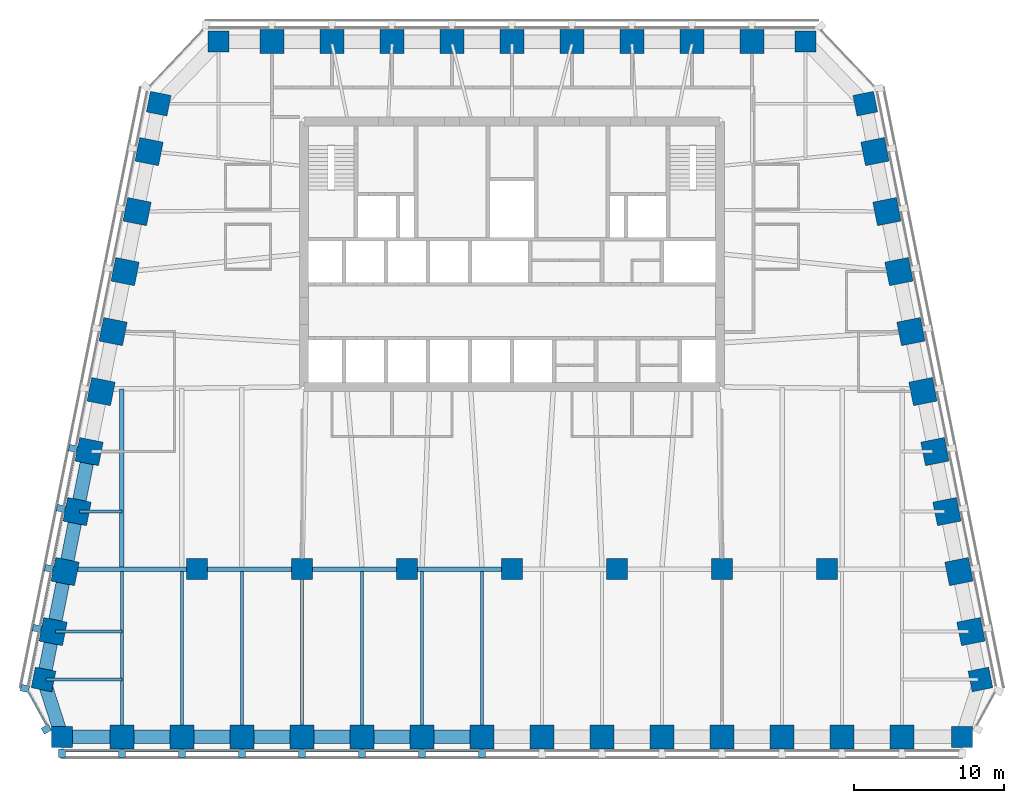
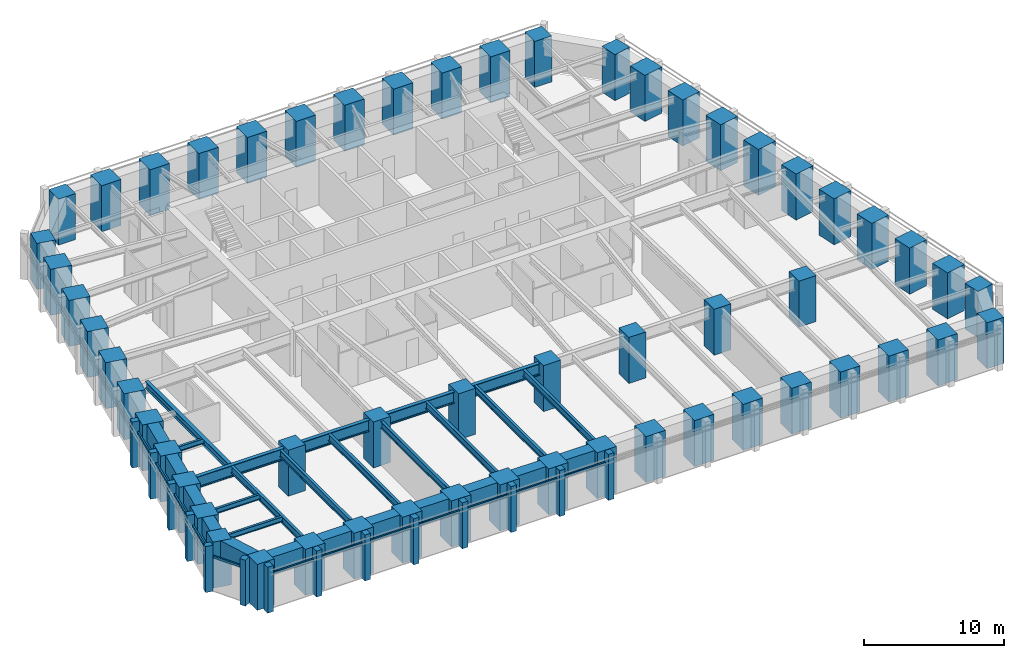
# One storey, part 1 of 10: 56 columns, 27 beams, 26 members, 3 elements without a shape of their own.
"""IFC4 building model written with IfcOpenShell, lengths in metres."""

from ifc_helpers import new_model, si_unit, direction, frame, origin, origin_2d, place, context, subcontext, project, spatial, rectangle, i_section, extrude, material, material_profile, profile_set, type_object, element, aggregate, save


model = new_model("IFC4")

# Units and contexts
model_context = context("Model", 3, precision=1e-05, world=origin(), true_north=direction((0.0, 1.0)))
body_context = subcontext(model_context, "Body", "Model", "MODEL_VIEW")
ifc_project = project(units=[si_unit("LENGTHUNIT", "METRE"), si_unit("AREAUNIT", "SQUARE_METRE"), si_unit("VOLUMEUNIT", "CUBIC_METRE"), si_unit("PLANEANGLEUNIT", "RADIAN"), si_unit("MASSUNIT", "GRAM", prefix="KILO")], contexts=[model_context])

# Site, building, storey
site_placement = place(None, origin())
site = spatial("IfcSite", under=ifc_project, at=site_placement, CompositionType="ELEMENT")
building_placement = place(site_placement, origin())
building = spatial("IfcBuilding", under=site, at=building_placement, Name="Isbrekke Arena Tower", CompositionType="ELEMENT")
storey_placement = place(building_placement, frame((0.0, 0.0, 214.0)))
storey = spatial("IfcBuildingStorey", under=building, at=storey_placement, Name="L49", CompositionType="ELEMENT", Elevation=214.0)

# Columns
ifc_material_1 = material(Name="Concrete B65 (C65/80)", Category="concrete")
ifc_material_profile_1 = material_profile(ifc_material_1, rectangle(XDim=1.39990234375, YDim=1.39990234375, at=origin_2d()), Name="RC 1400x1400")
ifc_profile_set_1 = profile_set([ifc_material_profile_1], Name="Concrete B65 (C65/80)")
column_type_1 = type_object("IfcColumnType", Name="C13 RC 1400 x 1400", PredefinedType="COLUMN", material=ifc_profile_set_1)
for number, where, z_axis, x_axis, name in (
    (1, (-21.0, -6.0, 0.0), (0.0, 0.0, 1.0), (1.0, 0.0, 0.0), "C13 I01"),
    (2, (-14.0, -6.0, 0.0), (0.0, 0.0, 1.0), (1.0, 0.0, 0.0), "C13 I02"),
    (3, (-7.0, -6.0, 0.0), (0.0, 0.0, 1.0), (1.0, 0.0, 0.0), "C13 I03"),
    (4, (0.0, -6.0, 0.0), (0.0, 0.0, 1.0), (1.0, 0.0, 0.0), "C13 I04"),
    (5, (7.0, -6.0, 0.0), (0.0, 0.0, 1.0), (1.0, 0.0, 0.0), "C13 I05"),
    (6, (14.0, -6.0, 0.0), (0.0, 0.0, 1.0), (1.0, 0.0, 0.0), "C13 I06"),
    (7, (21.0, -6.0, 0.0), (0.0, 0.0, 1.0), (1.0, 0.0, 0.0), "C13 I07"),
):
    element("IfcColumn", number, at=place(storey_placement, frame(where, z_axis=z_axis, x_axis=x_axis)), inside=storey, type_object=column_type_1, Name=name, PredefinedType="COLUMN", context=body_context, shape_type="SweptSolid", body=[
        extrude(rectangle(XDim=1.39990234375, YDim=1.39990234375, at=origin_2d()), origin(), (0.0, 0.0, 1.0), 4.0),
    ])
ifc_material_2 = material(Name="Concrete B65 (C65/80)", Category="concrete")
ifc_material_profile_2 = material_profile(ifc_material_2, rectangle(XDim=1.60009765625, YDim=1.60009765625, at=origin_2d()), Name="RC 1600x1600")
ifc_profile_set_2 = profile_set([ifc_material_profile_2], Name="Concrete B65 (C65/80)")
column_type_2 = type_object("IfcColumnType", Name="C4 RC 1600 x 1600", PredefinedType="COLUMN", material=ifc_profile_set_2)
for number, where, z_axis, x_axis, name in (
    (8, (-26.0, -17.175048828125, 0.0), (0.0, 0.0, 1.0), (1.0, 0.0, 0.0), "C4 S02"),
    (9, (-22.0, -17.175048828125, 0.0), (0.0, 0.0, 1.0), (1.0, 0.0, 0.0), "C4 S03"),
    (10, (-18.0, -17.175048828125, 0.0), (0.0, 0.0, 1.0), (1.0, 0.0, 0.0), "C4 S04"),
    (11, (-14.0, -17.175048828125, 0.0), (0.0, 0.0, 1.0), (1.0, 0.0, 0.0), "C4 S05"),
    (12, (-10.0, -17.175048828125, 0.0), (0.0, 0.0, 1.0), (1.0, 0.0, 0.0), "C4 S06"),
    (13, (-6.0, -17.175048828125, 0.0), (0.0, 0.0, 1.0), (1.0, 0.0, 0.0), "C4 S07"),
    (14, (-2.0, -17.175048828125, 0.0), (0.0, 0.0, 1.0), (1.0, 0.0, 0.0), "C4 S08"),
    (15, (2.0, -17.175048828125, 0.0), (0.0, 0.0, 1.0), (1.0, 0.0, 0.0), "C4 S09"),
    (16, (6.0, -17.175048828125, 0.0), (0.0, 0.0, 1.0), (1.0, 0.0, 0.0), "C4 S10"),
    (17, (10.0, -17.175048828125, 0.0), (0.0, 0.0, 1.0), (1.0, 0.0, 0.0), "C4 S11"),
    (18, (14.0, -17.175048828125, 0.0), (0.0, 0.0, 1.0), (1.0, 0.0, 0.0), "C4 S12"),
    (19, (18.0, -17.175048828125, 0.0), (0.0, 0.0, 1.0), (1.0, 0.0, 0.0), "C4 S13"),
    (20, (22.0, -17.175048828125, 0.0), (0.0, 0.0, 1.0), (1.0, 0.0, 0.0), "C4 S14"),
    (21, (26.0, -17.175048828125, 0.0), (0.0, 0.0, 1.0), (1.0, 0.0, 0.0), "C4 S15"),
    (22, (30.591064453125, -10.161865234375, 0.0), (0.0, 0.0, 1.0), (-0.196116135138, 0.980580675691, 0.0), "C4 E02"),
    (23, (29.791015625, -6.161865234375, 0.0), (0.0, 0.0, 1.0), (-0.196116135138, 0.980580675691, 0.0), "C4 E03"),
    (24, (28.990966796875, -2.161865234375, 0.0), (0.0, 0.0, 1.0), (-0.196116135138, 0.980580675691, 0.0), "C4 E04"),
    (25, (28.19091796875, 1.838134765625, 0.0), (0.0, 0.0, 1.0), (-0.196116135138, 0.980580675691, 0.0), "C4 E05"),
    (26, (27.39111328125, 5.838134765625, 0.0), (0.0, 0.0, 1.0), (-0.196116135138, 0.980580675691, 0.0), "C4 E06"),
    (27, (26.591064453125, 9.838134765625, 0.0), (0.0, 0.0, 1.0), (-0.196116135138, 0.980580675691, 0.0), "C4 E07"),
    (28, (25.791015625, 13.838134765625, 0.0), (0.0, 0.0, 1.0), (-0.196116135138, 0.980580675691, 0.0), "C4 E08"),
    (29, (24.990966796875, 17.838134765625, 0.0), (0.0, 0.0, 1.0), (-0.196116135138, 0.980580675691, 0.0), "C4 E09"),
    (30, (24.19091796875, 21.838134765625, 0.0), (0.0, 0.0, 1.0), (-0.196116135138, 0.980580675691, 0.0), "C4 E10"),
    (31, (16.0, 29.175048828125, 0.0), (0.0, 0.0, 1.0), (-1.0, 0.0, 0.0), "C4 N02"),
    (32, (12.0, 29.175048828125, 0.0), (0.0, 0.0, 1.0), (-1.0, 0.0, 0.0), "C4 N03"),
    (33, (8.0, 29.175048828125, 0.0), (0.0, 0.0, 1.0), (-1.0, 0.0, 0.0), "C4 N04"),
    (34, (4.0, 29.175048828125, 0.0), (0.0, 0.0, 1.0), (-1.0, 0.0, 0.0), "C4 N05"),
    (35, (0.0, 29.175048828125, 0.0), (0.0, 0.0, 1.0), (-1.0, 0.0, 0.0), "C4 N06"),
    (36, (-4.0, 29.175048828125, 0.0), (0.0, 0.0, 1.0), (-1.0, 0.0, 0.0), "C4 N07"),
    (37, (-8.0, 29.175048828125, 0.0), (0.0, 0.0, 1.0), (-1.0, 0.0, 0.0), "C4 N08"),
    (38, (-12.0, 29.175048828125, 0.0), (0.0, 0.0, 1.0), (-1.0, 0.0, 0.0), "C4 N09"),
    (39, (-16.0, 29.175048828125, 0.0), (0.0, 0.0, 1.0), (-1.0, 0.0, 0.0), "C4 N10"),
    (40, (-24.19091796875, 21.838134765625, 0.0), (0.0, 0.0, 1.0), (-0.196116135138, -0.980580675691, 0.0), "C4 W02"),
    (41, (-24.990966796875, 17.838134765625, 0.0), (0.0, 0.0, 1.0), (-0.196116135138, -0.980580675691, 0.0), "C4 W03"),
    (42, (-25.791015625, 13.838134765625, 0.0), (0.0, 0.0, 1.0), (-0.196116135138, -0.980580675691, 0.0), "C4 W04"),
    (43, (-26.591064453125, 9.838134765625, 0.0), (0.0, 0.0, 1.0), (-0.196116135138, -0.980580675691, 0.0), "C4 W05"),
    (44, (-27.39111328125, 5.838134765625, 0.0), (0.0, 0.0, 1.0), (-0.196116135138, -0.980580675691, 0.0), "C4 W06"),
    (45, (-28.19091796875, 1.838134765625, 0.0), (0.0, 0.0, 1.0), (-0.196116135138, -0.980580675691, 0.0), "C4 W07"),
    (46, (-28.990966796875, -2.161865234375, 0.0), (0.0, 0.0, 1.0), (-0.196116135138, -0.980580675691, 0.0), "C4 W08"),
    (47, (-29.791015625, -6.161865234375, 0.0), (0.0, 0.0, 1.0), (-0.196116135138, -0.980580675691, 0.0), "C4 W09"),
    (48, (-30.591064453125, -10.161865234375, 0.0), (0.0, 0.0, 1.0), (-0.196116135138, -0.980580675691, 0.0), "C4 W10"),
):
    element("IfcColumn", number, at=place(storey_placement, frame(where, z_axis=z_axis, x_axis=x_axis)), inside=storey, type_object=column_type_2, Name=name, PredefinedType="COLUMN", context=body_context, shape_type="SweptSolid", body=[
        extrude(rectangle(XDim=1.60009765625, YDim=1.60009765625, at=origin_2d()), origin(), (0.0, 0.0, 1.0), 4.0),
    ])
ifc_material_3 = material(Name="Concrete B65 (C65/80)", Category="concrete")
ifc_material_profile_3 = material_profile(ifc_material_3, rectangle(XDim=1.39990234375, YDim=1.39990234375, at=origin_2d()), Name="RC 1400x1400")
ifc_profile_set_3 = profile_set([ifc_material_profile_3], Name="Concrete B65 (C65/80)")
column_type_3 = type_object("IfcColumnType", Name="C8 RC 1400 x 1400", PredefinedType="COLUMN", material=ifc_profile_set_3)
for number, where, z_axis, x_axis, name in (
    (49, (-30.0, -17.175048828125, 0.0), (0.0, 0.0, 1.0), (1.0, 0.0, 0.0), "C8 S01"),
    (50, (30.0, -17.175048828125, 0.0), (0.0, 0.0, 1.0), (1.0, 0.0, 0.0), "C8 S16"),
    (51, (31.229248046875, -13.352783203125, 0.0), (0.0, 0.0, 1.0), (-0.196116135138, 0.980580675691, 0.0), "C8 E01"),
    (52, (23.552734375, 25.029296875, 0.0), (0.0, 0.0, 1.0), (-0.196116135138, 0.980580675691, 0.0), "C8 E11"),
    (53, (19.574951171875, 29.175048828125, 0.0), (0.0, 0.0, 1.0), (-1.0, 0.0, 0.0), "C8 N01"),
    (54, (-19.574951171875, 29.175048828125, 0.0), (0.0, 0.0, 1.0), (-1.0, 0.0, 0.0), "C8 N11"),
    (55, (-23.552734375, 25.029296875, 0.0), (0.0, 0.0, 1.0), (-0.196116135138, -0.980580675691, 0.0), "C8 W01"),
    (56, (-31.229248046875, -13.352783203125, 0.0), (0.0, 0.0, 1.0), (-0.196116135138, -0.980580675691, 0.0), "C8 W11"),
):
    element("IfcColumn", number, at=place(storey_placement, frame(where, z_axis=z_axis, x_axis=x_axis)), inside=storey, type_object=column_type_3, Name=name, PredefinedType="COLUMN", context=body_context, shape_type="SweptSolid", body=[
        extrude(rectangle(XDim=1.39990234375, YDim=1.39990234375, at=origin_2d()), origin(), (0.0, 0.0, 1.0), 4.0),
    ])

# Beams
ifc_material_4 = material(Name="Steel S355", Category="steel")
ifc_material_profile_4 = material_profile(ifc_material_4, i_section(OverallWidth=0.219970703125, OverallDepth=0.60009765625, WebThickness=0.011962890625, FlangeThickness=0.01904296875, FilletRadius=0.02392578125, at=origin_2d()), Name="IPE 600")
ifc_profile_set_4 = profile_set([ifc_material_profile_4], Name="Steel S355")
beam_type_1 = type_object("IfcBeamType", Name="B1 IPE 600", PredefinedType="BEAM", material=ifc_profile_set_4)
for number, where, z_axis, x_axis, name in (
    (57, (-26.0, -17.02490234375, 3.550048828125), (0.0, 1.0, 0.0), (-1.0, 0.0, 0.0), "B1 beam S-S02 L49"),
    (58, (-22.0, -17.02490234375, 3.550048828125), (0.0, 1.0, 0.0), (-1.0, 0.0, 0.0), "B1 beam S-S03 L49"),
    (59, (-18.0, -17.02490234375, 3.550048828125), (0.0, 1.0, 0.0), (-1.0, 0.0, 0.0), "B1 beam S-S04 L49"),
):
    element("IfcBeam", number, at=place(storey_placement, frame(where, z_axis=z_axis, x_axis=x_axis)), inside=storey, type_object=beam_type_1, Name=name, PredefinedType="BEAM", context=body_context, shape_type="SweptSolid", body=[
        extrude(i_section(OverallWidth=0.219970703125, OverallDepth=0.60009765625, WebThickness=0.011962890625, FlangeThickness=0.01904296875, FilletRadius=0.02392578125, at=origin_2d()), origin(), (0.0, 0.0, 1.0), 10.8740234375),
    ])
beam_1_placement = place(storey_placement, frame((-14.0, -17.02490234375, 3.550048828125), z_axis=(0.0, 1.0, 0.0), x_axis=(-1.0, 0.0, 0.0)))
element("IfcBeam", 60, at=beam_1_placement, inside=storey, type_object=beam_type_1, Name="B1 beam S-S05 L49", PredefinedType="BEAM", context=body_context, shape_type="SweptSolid", body=[
    extrude(i_section(OverallWidth=0.219970703125, OverallDepth=0.60009765625, WebThickness=0.011962890625, FlangeThickness=0.01904296875, FilletRadius=0.02392578125, at=origin_2d()), origin(), (0.0, 0.0, 1.0), 10.875),
])
for number, where, z_axis, x_axis, name in (
    (61, (-10.0, -17.02490234375, 3.550048828125), (0.0, 1.0, 0.0), (-1.0, 0.0, 0.0), "B1 beam S-S06 L49"),
    (62, (-6.0, -17.02490234375, 3.550048828125), (0.0, 1.0, 0.0), (-1.0, 0.0, 0.0), "B1 beam S-S07 L49"),
    (63, (-2.0, -17.02490234375, 3.550048828125), (0.0, 1.0, 0.0), (-1.0, 0.0, 0.0), "B1 beam S-S08 L49"),
):
    element("IfcBeam", number, at=place(storey_placement, frame(where, z_axis=z_axis, x_axis=x_axis)), inside=storey, type_object=beam_type_1, Name=name, PredefinedType="BEAM", context=body_context, shape_type="SweptSolid", body=[
        extrude(i_section(OverallWidth=0.219970703125, OverallDepth=0.60009765625, WebThickness=0.011962890625, FlangeThickness=0.01904296875, FilletRadius=0.02392578125, at=origin_2d()), origin(), (0.0, 0.0, 1.0), 10.8740234375),
    ])
ifc_material_5 = material(Name="Steel S355", Category="steel")
ifc_material_profile_5 = material_profile(ifc_material_5, i_section(OverallWidth=0.18994140625, OverallDepth=0.449951171875, WebThickness=0.009521484375, FlangeThickness=0.0146484375, FilletRadius=0.02099609375, at=origin_2d()), Name="IPE 450")
ifc_profile_set_5 = profile_set([ifc_material_profile_5], Name="Steel S355")
beam_type_2 = type_object("IfcBeamType", Name="B2 IPE 450", PredefinedType="BEAM", material=ifc_profile_set_5)
beam_2_placement = place(storey_placement, frame((-28.841064453125, -2.161865234375, 3.625), z_axis=(1.0, 0.0, 0.0), x_axis=(0.0, 1.0, 0.0)))
element("IfcBeam", 64, at=beam_2_placement, inside=storey, type_object=beam_type_2, Name="B2 beam E-W08 L49", PredefinedType="BEAM", context=body_context, shape_type="SweptSolid", body=[
    extrude(i_section(OverallWidth=0.18994140625, OverallDepth=0.449951171875, WebThickness=0.009521484375, FlangeThickness=0.0146484375, FilletRadius=0.02099609375, at=origin_2d()), origin(), (0.0, 0.0, 1.0), 2.841064453125),
])
beam_3_placement = place(storey_placement, frame((-30.44091796875, -10.161865234375, 3.625), z_axis=(1.0, 0.0, 0.0), x_axis=(0.0, 1.0, 0.0)))
element("IfcBeam", 65, at=beam_3_placement, inside=storey, type_object=beam_type_2, Name="B2 beam E-W10 L49", PredefinedType="BEAM", context=body_context, shape_type="SweptSolid", body=[
    extrude(i_section(OverallWidth=0.18994140625, OverallDepth=0.449951171875, WebThickness=0.009521484375, FlangeThickness=0.0146484375, FilletRadius=0.02099609375, at=origin_2d()), origin(), (0.0, 0.0, 1.0), 4.44091796875),
])
beam_4_placement = place(storey_placement, frame((-31.079345703125, -13.352783203125, 3.625), z_axis=(1.0, 0.0, 0.0), x_axis=(0.0, 1.0, 0.0)))
element("IfcBeam", 66, at=beam_4_placement, inside=storey, type_object=beam_type_2, Name="B2 beam E-W11 L49", PredefinedType="BEAM", context=body_context, shape_type="SweptSolid", body=[
    extrude(i_section(OverallWidth=0.18994140625, OverallDepth=0.449951171875, WebThickness=0.009521484375, FlangeThickness=0.0146484375, FilletRadius=0.02099609375, at=origin_2d()), origin(), (0.0, 0.0, 1.0), 5.079345703125),
])
ifc_material_6 = material(Name="Steel S355", Category="steel")
ifc_material_profile_6 = material_profile(ifc_material_6, i_section(OverallWidth=0.300048828125, OverallDepth=0.60009765625, WebThickness=0.015380859375, FlangeThickness=0.030029296875, FilletRadius=0.027099609375, at=origin_2d()), Name="HEB 600")
ifc_profile_set_6 = profile_set([ifc_material_profile_6], Name="Steel S355")
beam_type_3 = type_object("IfcBeamType", Name="B7 HEB 600", PredefinedType="BEAM", material=ifc_profile_set_6)
beam_5_placement = place(storey_placement, frame((-26.0, -5.84912109375, 3.550048828125), z_axis=(0.0, 1.0, 0.0), x_axis=(-1.0, 0.0, 0.0)))
element("IfcBeam", 67, at=beam_5_placement, inside=storey, type_object=beam_type_3, Name="B7 beam C-M01 L49", PredefinedType="BEAM", context=body_context, shape_type="SweptSolid", body=[
    extrude(i_section(OverallWidth=0.300048828125, OverallDepth=0.60009765625, WebThickness=0.015380859375, FlangeThickness=0.030029296875, FilletRadius=0.027099609375, at=origin_2d()), origin(), (0.0, 0.0, 1.0), 11.864990234375),
])

# Curtain wall, members
ifc_material_7 = material(Name="Glazed aluminium curtain wall", Category="aluminium")
curtain_wall_type = type_object("IfcCurtainWallType", Name="CWH TOWER CURTAIN WALL HIGH ZONE", PredefinedType="USERDEFINED", material=ifc_material_7)
curtain_wall_1_placement = place(storey_placement, origin())
curtain_wall_1 = element("IfcCurtainWall", 68, at=curtain_wall_1_placement, inside=storey, type_object=curtain_wall_type, Name="CWH curtain wall L49-S", ObjectType="TOWER CURTAIN WALL HIGH ZONE", PredefinedType="USERDEFINED")
ifc_material_8 = material(Name="Aluminium mullion, pale brick slip cladding", Category="masonry")
ifc_material_profile_7 = material_profile(ifc_material_8, rectangle(XDim=0.449951171875, YDim=0.550048828125, at=origin_2d()), Name="PIER 450X550")
ifc_profile_set_7 = profile_set([ifc_material_profile_7], Name="Aluminium mullion, pale brick slip cladding")
member_type_1 = type_object("IfcMemberType", Name="CWH-M PIER MULLION 450 x 550", PredefinedType="MULLION", material=ifc_profile_set_7)
member_1_placement = place(storey_placement, frame((-30.0, -18.27490234375, 0.0), z_axis=(0.0, 0.0, 1.0), x_axis=(1.0, 0.0, 0.0)))
member_1 = element("IfcMember", 69, at=member_1_placement, type_object=member_type_1, Name="CWH-M mullion 1", PredefinedType="MULLION", context=body_context, shape_type="SweptSolid", body=[
    extrude(rectangle(XDim=0.449951171875, YDim=0.550048828125, at=origin_2d()), origin(), (0.0, 0.0, 1.0), 4.0),
])
member_2_placement = place(storey_placement, frame((-26.0, -18.27490234375, 0.0), z_axis=(0.0, 0.0, 1.0), x_axis=(1.0, 0.0, 0.0)))
member_2 = element("IfcMember", 70, at=member_2_placement, type_object=member_type_1, Name="CWH-M mullion 2", PredefinedType="MULLION", context=body_context, shape_type="SweptSolid", body=[
    extrude(rectangle(XDim=0.449951171875, YDim=0.550048828125, at=origin_2d()), origin(), (0.0, 0.0, 1.0), 4.0),
])
member_3_placement = place(storey_placement, frame((-22.0, -18.27490234375, 0.0), z_axis=(0.0, 0.0, 1.0), x_axis=(1.0, 0.0, 0.0)))
member_3 = element("IfcMember", 71, at=member_3_placement, type_object=member_type_1, Name="CWH-M mullion 3", PredefinedType="MULLION", context=body_context, shape_type="SweptSolid", body=[
    extrude(rectangle(XDim=0.449951171875, YDim=0.550048828125, at=origin_2d()), origin(), (0.0, 0.0, 1.0), 4.0),
])
member_4_placement = place(storey_placement, frame((-18.0, -18.27490234375, 0.0), z_axis=(0.0, 0.0, 1.0), x_axis=(1.0, 0.0, 0.0)))
member_4 = element("IfcMember", 72, at=member_4_placement, type_object=member_type_1, Name="CWH-M mullion 4", PredefinedType="MULLION", context=body_context, shape_type="SweptSolid", body=[
    extrude(rectangle(XDim=0.449951171875, YDim=0.550048828125, at=origin_2d()), origin(), (0.0, 0.0, 1.0), 4.0),
])
member_5_placement = place(storey_placement, frame((-14.0, -18.27490234375, 0.0), z_axis=(0.0, 0.0, 1.0), x_axis=(1.0, 0.0, 0.0)))
member_5 = element("IfcMember", 73, at=member_5_placement, type_object=member_type_1, Name="CWH-M mullion 5", PredefinedType="MULLION", context=body_context, shape_type="SweptSolid", body=[
    extrude(rectangle(XDim=0.449951171875, YDim=0.550048828125, at=origin_2d()), origin(), (0.0, 0.0, 1.0), 4.0),
])
member_6_placement = place(storey_placement, frame((-10.0, -18.27490234375, 0.0), z_axis=(0.0, 0.0, 1.0), x_axis=(1.0, 0.0, 0.0)))
member_6 = element("IfcMember", 74, at=member_6_placement, type_object=member_type_1, Name="CWH-M mullion 6", PredefinedType="MULLION", context=body_context, shape_type="SweptSolid", body=[
    extrude(rectangle(XDim=0.449951171875, YDim=0.550048828125, at=origin_2d()), origin(), (0.0, 0.0, 1.0), 4.0),
])
member_7_placement = place(storey_placement, frame((-6.0, -18.27490234375, 0.0), z_axis=(0.0, 0.0, 1.0), x_axis=(1.0, 0.0, 0.0)))
member_7 = element("IfcMember", 75, at=member_7_placement, type_object=member_type_1, Name="CWH-M mullion 7", PredefinedType="MULLION", context=body_context, shape_type="SweptSolid", body=[
    extrude(rectangle(XDim=0.449951171875, YDim=0.550048828125, at=origin_2d()), origin(), (0.0, 0.0, 1.0), 4.0),
])
member_8_placement = place(storey_placement, frame((-2.0, -18.27490234375, 0.0), z_axis=(0.0, 0.0, 1.0), x_axis=(1.0, 0.0, 0.0)))
member_8 = element("IfcMember", 76, at=member_8_placement, type_object=member_type_1, Name="CWH-M mullion 8", PredefinedType="MULLION", context=body_context, shape_type="SweptSolid", body=[
    extrude(rectangle(XDim=0.449951171875, YDim=0.550048828125, at=origin_2d()), origin(), (0.0, 0.0, 1.0), 4.0),
])

curtain_wall_2_placement = place(storey_placement, origin())
curtain_wall_2 = element("IfcCurtainWall", 77, at=curtain_wall_2_placement, inside=storey, type_object=curtain_wall_type, Name="CWH curtain wall L49-W", ObjectType="TOWER CURTAIN WALL HIGH ZONE", PredefinedType="USERDEFINED")
member_9_placement = place(storey_placement, frame((-29.269775390625, 2.053955078125, 0.0), z_axis=(0.0, 0.0, 1.0), x_axis=(-0.196116135138, -0.980580675691, 0.0)))
member_9 = element("IfcMember", 78, at=member_9_placement, type_object=member_type_1, Name="CWH-M mullion 6", PredefinedType="MULLION", context=body_context, shape_type="SweptSolid", body=[
    extrude(rectangle(XDim=0.449951171875, YDim=0.550048828125, at=origin_2d()), origin(), (0.0, 0.0, 1.0), 4.0),
])
member_10_placement = place(storey_placement, frame((-30.069580078125, -1.946044921875, 0.0), z_axis=(0.0, 0.0, 1.0), x_axis=(-0.196116135138, -0.980580675691, 0.0)))
member_10 = element("IfcMember", 79, at=member_10_placement, type_object=member_type_1, Name="CWH-M mullion 7", PredefinedType="MULLION", context=body_context, shape_type="SweptSolid", body=[
    extrude(rectangle(XDim=0.449951171875, YDim=0.550048828125, at=origin_2d()), origin(), (0.0, 0.0, 1.0), 4.0),
])
member_11_placement = place(storey_placement, frame((-30.86962890625, -5.946044921875, 0.0), z_axis=(0.0, 0.0, 1.0), x_axis=(-0.196116135138, -0.980580675691, 0.0)))
member_11 = element("IfcMember", 80, at=member_11_placement, type_object=member_type_1, Name="CWH-M mullion 8", PredefinedType="MULLION", context=body_context, shape_type="SweptSolid", body=[
    extrude(rectangle(XDim=0.449951171875, YDim=0.550048828125, at=origin_2d()), origin(), (0.0, 0.0, 1.0), 4.0),
])
member_12_placement = place(storey_placement, frame((-31.669677734375, -9.946044921875, 0.0), z_axis=(0.0, 0.0, 1.0), x_axis=(-0.196116135138, -0.980580675691, 0.0)))
member_12 = element("IfcMember", 81, at=member_12_placement, type_object=member_type_1, Name="CWH-M mullion 9", PredefinedType="MULLION", context=body_context, shape_type="SweptSolid", body=[
    extrude(rectangle(XDim=0.449951171875, YDim=0.550048828125, at=origin_2d()), origin(), (0.0, 0.0, 1.0), 4.0),
])
member_13_placement = place(storey_placement, frame((-32.4697265625, -13.946044921875, 0.0), z_axis=(0.0, 0.0, 1.0), x_axis=(-0.196116135138, -0.980580675691, 0.0)))
member_13 = element("IfcMember", 82, at=member_13_placement, type_object=member_type_1, Name="CWH-M mullion 10", PredefinedType="MULLION", context=body_context, shape_type="SweptSolid", body=[
    extrude(rectangle(XDim=0.449951171875, YDim=0.550048828125, at=origin_2d()), origin(), (0.0, 0.0, 1.0), 4.0),
])

# Curtain wall, member
curtain_wall_3_placement = place(storey_placement, origin())
curtain_wall_3 = element("IfcCurtainWall", 83, at=curtain_wall_3_placement, inside=storey, type_object=curtain_wall_type, Name="CWH curtain wall L49-WS", ObjectType="TOWER CURTAIN WALL HIGH ZONE", PredefinedType="USERDEFINED")
member_14_placement = place(storey_placement, frame((-31.04638671875, -16.66796875, 0.0), z_axis=(0.0, 0.0, 1.0), x_axis=(0.481918749773, -0.876215908676, 0.0)))
member_14 = element("IfcMember", 84, at=member_14_placement, type_object=member_type_1, Name="CWH-M mullion 1", PredefinedType="MULLION", context=body_context, shape_type="SweptSolid", body=[
    extrude(rectangle(XDim=0.449951171875, YDim=0.550048828125, at=origin_2d()), origin(), (0.0, 0.0, 1.0), 4.0),
])

# Member
ifc_material_9 = material(Name="Aluminium transom", Category="aluminium")
ifc_material_profile_8 = material_profile(ifc_material_9, rectangle(XDim=0.1201171875, YDim=0.199951171875, at=origin_2d()), Name="TRANSOM 120X200")
ifc_profile_set_8 = profile_set([ifc_material_profile_8], Name="Aluminium transom")
member_type_2 = type_object("IfcMemberType", Name="CWH-T TRANSOM 120 x 200", PredefinedType="USERDEFINED", material=ifc_profile_set_8)
member_15_placement = place(storey_placement, frame((-29.77490234375, -18.10009765625, 3.0), z_axis=(1.0, 0.0, 0.0), x_axis=(0.0, 1.0, 0.0)))
member_15 = element("IfcMember", 85, at=member_15_placement, type_object=member_type_2, Name="CWH-T transom 1", ObjectType="TRANSOM", PredefinedType="USERDEFINED", context=body_context, shape_type="SweptSolid", body=[
    extrude(rectangle(XDim=0.1201171875, YDim=0.199951171875, at=origin_2d()), origin(), (0.0, 0.0, 1.0), 3.5498046875),
])

member_16_placement = place(storey_placement, frame((-25.77490234375, -18.10009765625, 3.0), z_axis=(1.0, 0.0, 0.0), x_axis=(0.0, 1.0, 0.0)))
member_16 = element("IfcMember", 86, at=member_16_placement, type_object=member_type_2, Name="CWH-T transom 2", ObjectType="TRANSOM", PredefinedType="USERDEFINED", context=body_context, shape_type="SweptSolid", body=[
    extrude(rectangle(XDim=0.1201171875, YDim=0.199951171875, at=origin_2d()), origin(), (0.0, 0.0, 1.0), 3.5498046875),
])

member_17_placement = place(storey_placement, frame((-21.77490234375, -18.10009765625, 3.0), z_axis=(1.0, 0.0, 0.0), x_axis=(0.0, 1.0, 0.0)))
member_17 = element("IfcMember", 87, at=member_17_placement, type_object=member_type_2, Name="CWH-T transom 3", ObjectType="TRANSOM", PredefinedType="USERDEFINED", context=body_context, shape_type="SweptSolid", body=[
    extrude(rectangle(XDim=0.1201171875, YDim=0.199951171875, at=origin_2d()), origin(), (0.0, 0.0, 1.0), 3.5498046875),
])

member_18_placement = place(storey_placement, frame((-17.77490234375, -18.10009765625, 3.0), z_axis=(1.0, 0.0, 0.0), x_axis=(0.0, 1.0, 0.0)))
member_18 = element("IfcMember", 88, at=member_18_placement, type_object=member_type_2, Name="CWH-T transom 4", ObjectType="TRANSOM", PredefinedType="USERDEFINED", context=body_context, shape_type="SweptSolid", body=[
    extrude(rectangle(XDim=0.1201171875, YDim=0.199951171875, at=origin_2d()), origin(), (0.0, 0.0, 1.0), 3.5498046875),
])

member_19_placement = place(storey_placement, frame((-13.77490234375, -18.10009765625, 3.0), z_axis=(1.0, 0.0, 0.0), x_axis=(0.0, 1.0, 0.0)))
member_19 = element("IfcMember", 89, at=member_19_placement, type_object=member_type_2, Name="CWH-T transom 5", ObjectType="TRANSOM", PredefinedType="USERDEFINED", context=body_context, shape_type="SweptSolid", body=[
    extrude(rectangle(XDim=0.1201171875, YDim=0.199951171875, at=origin_2d()), origin(), (0.0, 0.0, 1.0), 3.5498046875),
])

member_20_placement = place(storey_placement, frame((-9.77490234375, -18.10009765625, 3.0), z_axis=(1.0, 0.0, 0.0), x_axis=(0.0, 1.0, 0.0)))
member_20 = element("IfcMember", 90, at=member_20_placement, type_object=member_type_2, Name="CWH-T transom 6", ObjectType="TRANSOM", PredefinedType="USERDEFINED", context=body_context, shape_type="SweptSolid", body=[
    extrude(rectangle(XDim=0.1201171875, YDim=0.199951171875, at=origin_2d()), origin(), (0.0, 0.0, 1.0), 3.5498046875),
])

member_21_placement = place(storey_placement, frame((-5.77490234375, -18.10009765625, 3.0), z_axis=(1.0, 0.0, 0.0), x_axis=(0.0, 1.0, 0.0)))
member_21 = element("IfcMember", 91, at=member_21_placement, type_object=member_type_2, Name="CWH-T transom 7", ObjectType="TRANSOM", PredefinedType="USERDEFINED", context=body_context, shape_type="SweptSolid", body=[
    extrude(rectangle(XDim=0.1201171875, YDim=0.199951171875, at=origin_2d()), origin(), (0.0, 0.0, 1.0), 3.5498046875),
])

aggregate(curtain_wall_1, [member_1, member_2, member_3, member_4, member_5, member_6, member_7, member_8, member_15, member_16, member_17, member_18, member_19, member_20, member_21])

member_22_placement = place(storey_placement, frame((-29.14208984375, 1.799072265625, 3.0), z_axis=(-0.196154943734, -0.980572913173, 0.0), x_axis=(0.980572913173, -0.196154943734, 0.0)))
member_22 = element("IfcMember", 92, at=member_22_placement, type_object=member_type_2, Name="CWH-T transom 7", ObjectType="TRANSOM", PredefinedType="USERDEFINED", context=body_context, shape_type="SweptSolid", body=[
    extrude(rectangle(XDim=0.1201171875, YDim=0.199951171875, at=origin_2d()), origin(), (0.0, 0.0, 1.0), 3.62939453125),
])

member_23_placement = place(storey_placement, frame((-29.942138671875, -2.200927734375, 3.0), z_axis=(-0.196154943734, -0.980572913173, 0.0), x_axis=(0.980572913173, -0.196154943734, 0.0)))
member_23 = element("IfcMember", 93, at=member_23_placement, type_object=member_type_2, Name="CWH-T transom 8", ObjectType="TRANSOM", PredefinedType="USERDEFINED", context=body_context, shape_type="SweptSolid", body=[
    extrude(rectangle(XDim=0.1201171875, YDim=0.199951171875, at=origin_2d()), origin(), (0.0, 0.0, 1.0), 3.62939453125),
])

member_24_placement = place(storey_placement, frame((-30.7421875, -6.200927734375, 3.0), z_axis=(-0.196090262229, -0.980585849918, 0.0), x_axis=(0.980585849918, -0.196090262229, 0.0)))
member_24 = element("IfcMember", 94, at=member_24_placement, type_object=member_type_2, Name="CWH-T transom 9", ObjectType="TRANSOM", PredefinedType="USERDEFINED", context=body_context, shape_type="SweptSolid", body=[
    extrude(rectangle(XDim=0.1201171875, YDim=0.199951171875, at=origin_2d()), origin(), (0.0, 0.0, 1.0), 3.62939453125),
])

member_25_placement = place(storey_placement, frame((-31.542236328125, -10.200927734375, 3.0), z_axis=(-0.196090262229, -0.980585849918, 0.0), x_axis=(0.980585849918, -0.196090262229, 0.0)))
member_25 = element("IfcMember", 95, at=member_25_placement, type_object=member_type_2, Name="CWH-T transom 10", ObjectType="TRANSOM", PredefinedType="USERDEFINED", context=body_context, shape_type="SweptSolid", body=[
    extrude(rectangle(XDim=0.1201171875, YDim=0.199951171875, at=origin_2d()), origin(), (0.0, 0.0, 1.0), 3.62939453125),
])

aggregate(curtain_wall_2, [member_9, member_10, member_11, member_12, member_13, member_22, member_23, member_24, member_25])

member_26_placement = place(storey_placement, frame((-32.17919921875, -14.245361328125, 3.0), z_axis=(0.481957101782, -0.876194813978, 0.0), x_axis=(0.876194813978, 0.481957101782, 0.0)))
member_26 = element("IfcMember", 96, at=member_26_placement, type_object=member_type_2, Name="CWH-T transom 1", ObjectType="TRANSOM", PredefinedType="USERDEFINED", context=body_context, shape_type="SweptSolid", body=[
    extrude(rectangle(XDim=0.1201171875, YDim=0.199951171875, at=origin_2d()), origin(), (0.0, 0.0, 1.0), 2.443603515625),
])

aggregate(curtain_wall_3, [member_14, member_26])

# Beams
ifc_material_10 = material(Name="Steel S355", Category="steel")
ifc_material_profile_9 = material_profile(ifc_material_10, i_section(OverallWidth=0.302001953125, OverallDepth=1.008056640625, WebThickness=0.02099609375, FlangeThickness=0.0400390625, FilletRadius=0.030029296875, at=origin_2d()), Name="HEM 1000")
ifc_profile_set_9 = profile_set([ifc_material_profile_9], Name="Steel S355")
beam_type_4 = type_object("IfcBeamType", Name="G1 HEM 1000", PredefinedType="BEAM", material=ifc_profile_set_9)
beam_6_placement = place(storey_placement, frame((-29.791015625, -6.0, 3.345947265625), z_axis=(1.0, 0.0, 0.0), x_axis=(0.0, 1.0, 0.0)))
element("IfcBeam", 97, at=beam_6_placement, inside=storey, type_object=beam_type_4, Name="G1 beam G1-01 L49", PredefinedType="BEAM", context=body_context, shape_type="SweptSolid", body=[
    extrude(i_section(OverallWidth=0.302001953125, OverallDepth=1.008056640625, WebThickness=0.02099609375, FlangeThickness=0.0400390625, FilletRadius=0.030029296875, at=origin_2d()), origin(), (0.0, 0.0, 1.0), 8.64111328125),
])
for number, where, z_axis, x_axis, name in (
    (98, (-20.85009765625, -6.0, 3.345947265625), (1.0, 0.0, 0.0), (0.0, 1.0, 0.0), "G1 beam G1-02 L49"),
    (99, (-13.85009765625, -6.0, 3.345947265625), (1.0, 0.0, 0.0), (0.0, 1.0, 0.0), "G1 beam G1-03 L49"),
    (100, (-6.85009765625, -6.0, 3.345947265625), (1.0, 0.0, 0.0), (0.0, 1.0, 0.0), "G1 beam G1-04 L49"),
):
    element("IfcBeam", number, at=place(storey_placement, frame(where, z_axis=z_axis, x_axis=x_axis)), inside=storey, type_object=beam_type_4, Name=name, PredefinedType="BEAM", context=body_context, shape_type="SweptSolid", body=[
        extrude(i_section(OverallWidth=0.302001953125, OverallDepth=1.008056640625, WebThickness=0.02099609375, FlangeThickness=0.0400390625, FilletRadius=0.030029296875, at=origin_2d()), origin(), (0.0, 0.0, 1.0), 6.7001953125),
    ])
ifc_material_11 = material(Name="Concrete B65 (C65/80)", Category="concrete")
ifc_material_profile_10 = material_profile(ifc_material_11, rectangle(XDim=0.89990234375, YDim=1.5, at=origin_2d()), Name="RC 900x1500")
ifc_profile_set_10 = profile_set([ifc_material_profile_10], Name="Concrete B65 (C65/80)")
beam_type_5 = type_object("IfcBeamType", Name="SB3 RC 900 x 1500", PredefinedType="SPANDREL", material=ifc_profile_set_10)
for number, where, z_axis, x_axis, name in (
    (101, (-29.85009765625, -17.175048828125, 3.25), (1.0, 0.0, 0.0), (0.0, 1.0, 0.0), "SB3 spandrel S01-S02 L49"),
    (102, (-25.85009765625, -17.175048828125, 3.25), (1.0, 0.0, 0.0), (0.0, 1.0, 0.0), "SB3 spandrel S02-S03 L49"),
    (103, (-21.85009765625, -17.175048828125, 3.25), (1.0, 0.0, 0.0), (0.0, 1.0, 0.0), "SB3 spandrel S03-S04 L49"),
    (104, (-17.85009765625, -17.175048828125, 3.25), (1.0, 0.0, 0.0), (0.0, 1.0, 0.0), "SB3 spandrel S04-S05 L49"),
    (105, (-13.85009765625, -17.175048828125, 3.25), (1.0, 0.0, 0.0), (0.0, 1.0, 0.0), "SB3 spandrel S05-S06 L49"),
    (106, (-9.85009765625, -17.175048828125, 3.25), (1.0, 0.0, 0.0), (0.0, 1.0, 0.0), "SB3 spandrel S06-S07 L49"),
    (107, (-5.85009765625, -17.175048828125, 3.25), (1.0, 0.0, 0.0), (0.0, 1.0, 0.0), "SB3 spandrel S07-S08 L49"),
):
    element("IfcBeam", number, at=place(storey_placement, frame(where, z_axis=z_axis, x_axis=x_axis)), inside=storey, type_object=beam_type_5, Name=name, PredefinedType="SPANDREL", context=body_context, shape_type="SweptSolid", body=[
        extrude(rectangle(XDim=0.89990234375, YDim=1.5, at=origin_2d()), origin(), (0.0, 0.0, 1.0), 3.7001953125),
    ])
for number, where, z_axis, x_axis, name in (
    (108, (-28.220458984375, 1.691162109375, 3.25), (-0.196128558387, -0.980578190959, 0.0), (0.980578190959, -0.196128558387, 0.0), "SB3 spandrel W07-W08 L49"),
    (109, (-29.0205078125, -2.308837890625, 3.25), (-0.196128558387, -0.980578190959, 0.0), (0.980578190959, -0.196128558387, 0.0), "SB3 spandrel W08-W09 L49"),
):
    element("IfcBeam", number, at=place(storey_placement, frame(where, z_axis=z_axis, x_axis=x_axis)), inside=storey, type_object=beam_type_5, Name=name, PredefinedType="SPANDREL", context=body_context, shape_type="SweptSolid", body=[
        extrude(rectangle(XDim=0.89990234375, YDim=1.5, at=origin_2d()), origin(), (0.0, 0.0, 1.0), 3.779296875),
    ])
beam_7_placement = place(storey_placement, frame((-29.820556640625, -6.308837890625, 3.25), z_axis=(-0.1960664412, -0.980590613169, 0.0), x_axis=(0.980590613169, -0.1960664412, 0.0)))
element("IfcBeam", 110, at=beam_7_placement, inside=storey, type_object=beam_type_5, Name="SB3 spandrel W09-W10 L49", PredefinedType="SPANDREL", context=body_context, shape_type="SweptSolid", body=[
    extrude(rectangle(XDim=0.89990234375, YDim=1.5, at=origin_2d()), origin(), (0.0, 0.0, 1.0), 3.779052734375),
])
beam_8_placement = place(storey_placement, frame((-30.620361328125, -10.308837890625, 3.25), z_axis=(-0.196100243168, -0.980583853951, 0.0), x_axis=(0.980583853951, -0.196100243168, 0.0)))
element("IfcBeam", 111, at=beam_8_placement, inside=storey, type_object=beam_type_5, Name="SB3 spandrel W10-W11 L49", PredefinedType="SPANDREL", context=body_context, shape_type="SweptSolid", body=[
    extrude(rectangle(XDim=0.89990234375, YDim=1.5, at=origin_2d()), origin(), (0.0, 0.0, 1.0), 2.954345703125),
])
beam_9_placement = place(storey_placement, frame((-31.183349609375, -13.49560546875, 3.25), z_axis=(0.306175101476, -0.951975213562, 0.0), x_axis=(0.951975213562, 0.306175101476, 0.0)))
element("IfcBeam", 112, at=beam_9_placement, inside=storey, type_object=beam_type_5, Name="SB3 spandrel W11-S01 L49", PredefinedType="SPANDREL", context=body_context, shape_type="SweptSolid", body=[
    extrude(rectangle(XDim=0.89990234375, YDim=1.5, at=origin_2d()), origin(), (0.0, 0.0, 1.0), 3.715087890625),
])

save(model, "model.ifc")
